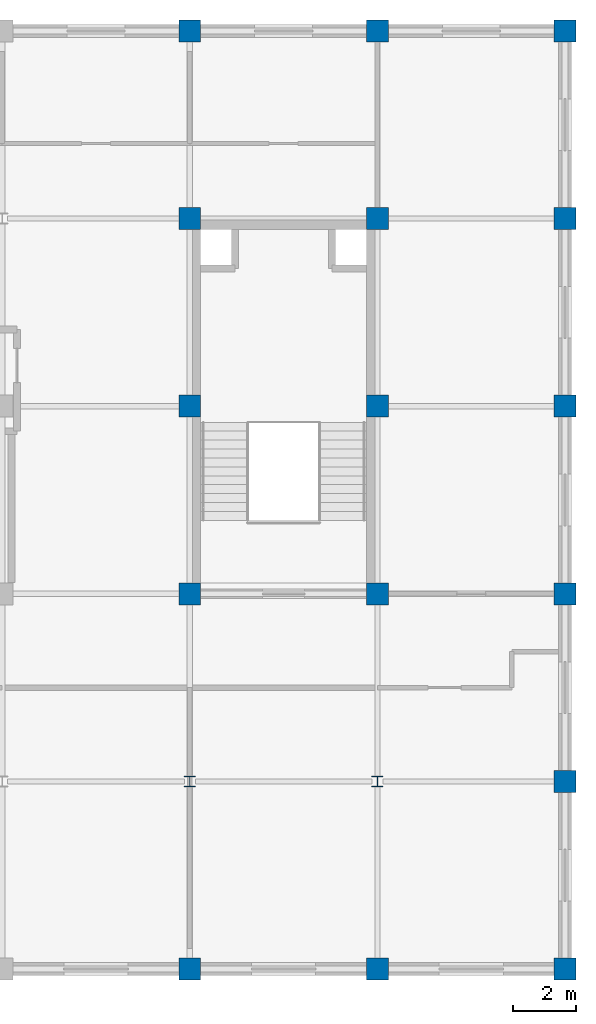
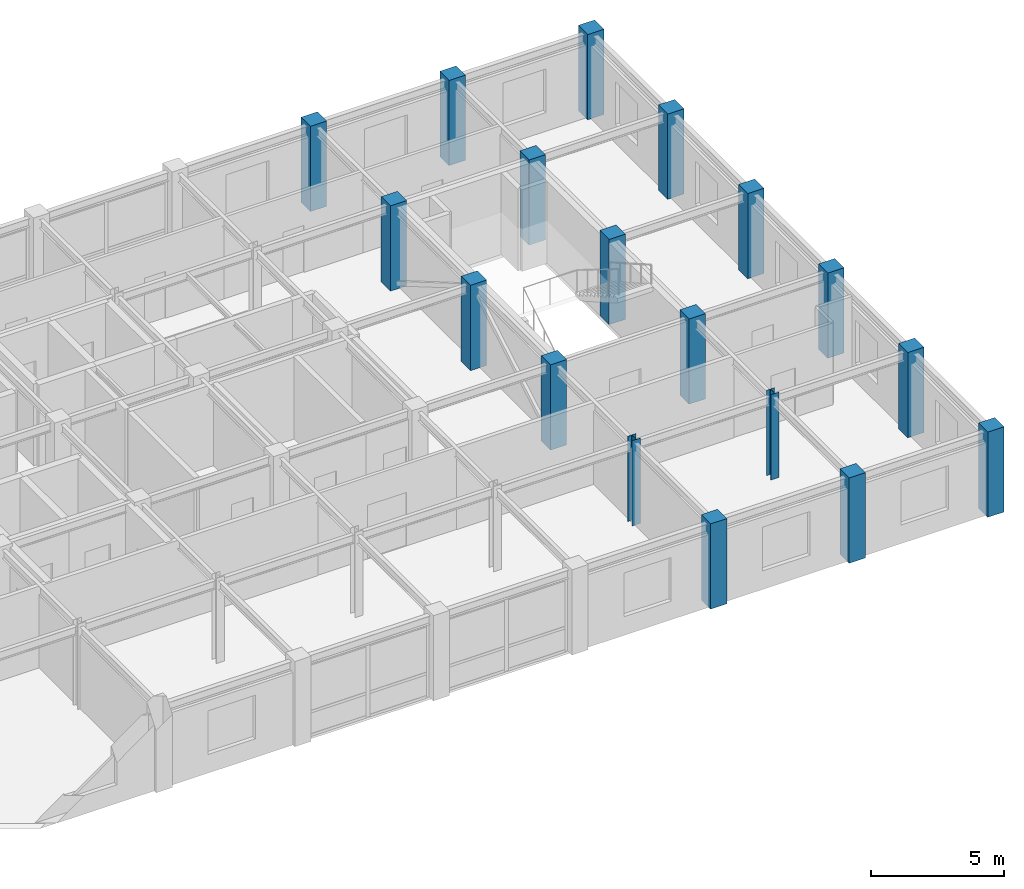
# One storey, part 3 of 13: 18 columns.
"""IFC4 building model written with IfcOpenShell, lengths in metres."""

from ifc_helpers import new_model, si_unit, direction, frame, origin, origin_2d, place, context, subcontext, project, spatial, rectangle, i_section, extrude, material, material_profile, profile_set, type_object, element, save


model = new_model("IFC4")

# Units and contexts
model_context = context("Model", 3, precision=1e-05, world=origin(), true_north=direction((0.0, 1.0)))
body_context = subcontext(model_context, "Body", "Model", "MODEL_VIEW")
ifc_project = project(units=[si_unit("LENGTHUNIT", "METRE"), si_unit("AREAUNIT", "SQUARE_METRE"), si_unit("VOLUMEUNIT", "CUBIC_METRE"), si_unit("PLANEANGLEUNIT", "RADIAN"), si_unit("MASSUNIT", "GRAM", prefix="KILO")], contexts=[model_context])

# Site, building, storey
site_placement = place(None, origin())
site = spatial("IfcSite", under=ifc_project, at=site_placement, CompositionType="ELEMENT")
building_placement = place(site_placement, origin())
building = spatial("IfcBuilding", under=site, at=building_placement, Name="Zlatovratsky Civic Hall", CompositionType="ELEMENT")
storey_placement = place(building_placement, frame((0.0, 0.0, 44.39990234375)))
storey = spatial("IfcBuildingStorey", under=building, at=storey_placement, Name="L11", CompositionType="ELEMENT", Elevation=44.39990234375)

# Columns
ifc_material_1 = material(Name="Concrete C35/45 (B40)", Category="concrete")
ifc_material_profile_1 = material_profile(ifc_material_1, rectangle(XDim=0.699951171875, YDim=0.699951171875, at=origin_2d()), Name="RC 700x700")
ifc_profile_set_1 = profile_set([ifc_material_profile_1], Name="Concrete C35/45 (B40)")
column_type_1 = type_object("IfcColumnType", Name="Col_CorePier_RC700", PredefinedType="COLUMN", material=ifc_profile_set_1)
for number, where, z_axis, x_axis, name in (
    (1, (96.0, 72.0, 0.0), (0.0, 0.0, 1.0), (1.0, 0.0, 0.0), "CL-2363"),
    (2, (102.0, 72.0, 0.0), (0.0, 0.0, 1.0), (1.0, 0.0, 0.0), "CL-2364"),
    (3, (108.0, 72.0, 0.0), (0.0, 0.0, 1.0), (1.0, 0.0, 0.0), "CL-2365"),
    (4, (108.0, 78.0, 0.0), (0.0, 0.0, 1.0), (1.0, 0.0, 0.0), "CL-2374"),
    (5, (96.0, 84.0, 0.0), (0.0, 0.0, 1.0), (1.0, 0.0, 0.0), "CL-2381"),
    (6, (102.0, 84.0, 0.0), (0.0, 0.0, 1.0), (1.0, 0.0, 0.0), "CL-2382"),
    (7, (108.0, 84.0, 0.0), (0.0, 0.0, 1.0), (1.0, 0.0, 0.0), "CL-2383"),
    (8, (96.0, 90.0, 0.0), (0.0, 0.0, 1.0), (1.0, 0.0, 0.0), "CL-2390"),
    (9, (102.0, 90.0, 0.0), (0.0, 0.0, 1.0), (1.0, 0.0, 0.0), "CL-2391"),
    (10, (108.0, 90.0, 0.0), (0.0, 0.0, 1.0), (1.0, 0.0, 0.0), "CL-2392"),
    (11, (96.0, 96.0, 0.0), (0.0, 0.0, 1.0), (1.0, 0.0, 0.0), "CL-2399"),
    (12, (102.0, 96.0, 0.0), (0.0, 0.0, 1.0), (1.0, 0.0, 0.0), "CL-2400"),
    (13, (108.0, 96.0, 0.0), (0.0, 0.0, 1.0), (1.0, 0.0, 0.0), "CL-2401"),
    (14, (96.0, 102.0, 0.0), (0.0, 0.0, 1.0), (1.0, 0.0, 0.0), "CL-2408"),
    (15, (102.0, 102.0, 0.0), (0.0, 0.0, 1.0), (1.0, 0.0, 0.0), "CL-2409"),
    (16, (108.0, 102.0, 0.0), (0.0, 0.0, 1.0), (1.0, 0.0, 0.0), "CL-2410"),
):
    element("IfcColumn", number, at=place(storey_placement, frame(where, z_axis=z_axis, x_axis=x_axis)), inside=storey, type_object=column_type_1, Name=name, PredefinedType="COLUMN", context=body_context, shape_type="SweptSolid", body=[
        extrude(rectangle(XDim=0.699951171875, YDim=0.699951171875, at=origin_2d()), origin(), (0.0, 0.0, 1.0), 3.900146484375),
    ])
ifc_material_2 = material(Name="Steel S355", Category="steel")
ifc_material_profile_2 = material_profile(ifc_material_2, i_section(OverallWidth=0.35009765625, OverallDepth=0.343017578125, WebThickness=0.010009765625, FlangeThickness=0.014892578125, FilletRadius=0.02001953125, at=origin_2d()), Name="35K1")
ifc_profile_set_2 = profile_set([ifc_material_profile_2], Name="Steel S355")
column_type_2 = type_object("IfcColumnType", Name="Col_Steel_35K1", PredefinedType="COLUMN", material=ifc_profile_set_2)
for number, where, z_axis, x_axis, name in (
    (17, (96.0, 78.0, 0.0), (0.0, 0.0, 1.0), (1.0, 0.0, 0.0), "CL-2372"),
    (18, (102.0, 78.0, 0.0), (0.0, 0.0, 1.0), (1.0, 0.0, 0.0), "CL-2373"),
):
    element("IfcColumn", number, at=place(storey_placement, frame(where, z_axis=z_axis, x_axis=x_axis)), inside=storey, type_object=column_type_2, Name=name, PredefinedType="COLUMN", context=body_context, shape_type="SweptSolid", body=[
        extrude(i_section(OverallWidth=0.35009765625, OverallDepth=0.343017578125, WebThickness=0.010009765625, FlangeThickness=0.014892578125, FilletRadius=0.02001953125, at=origin_2d()), origin(), (0.0, 0.0, 1.0), 3.900146484375),
    ])

save(model, "model.ifc")
